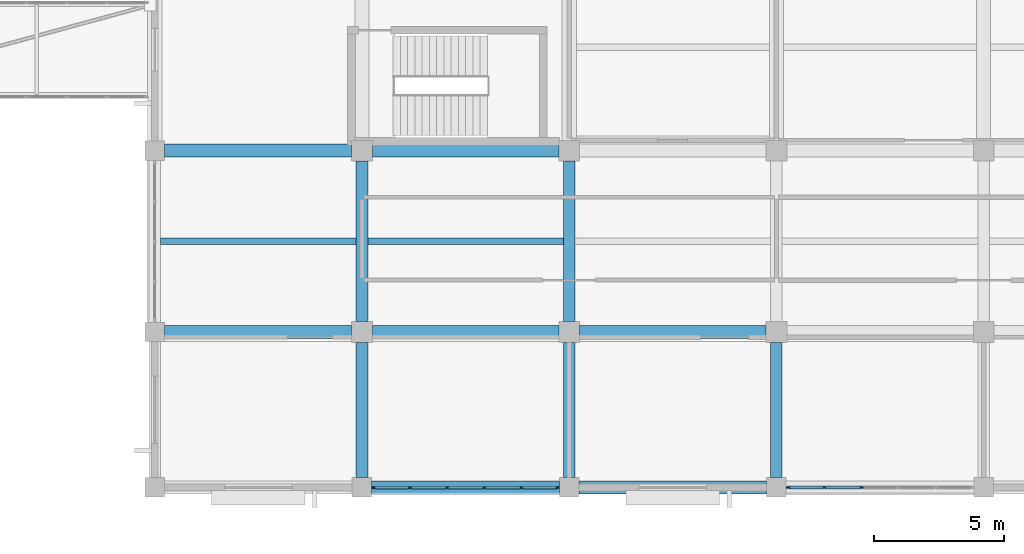
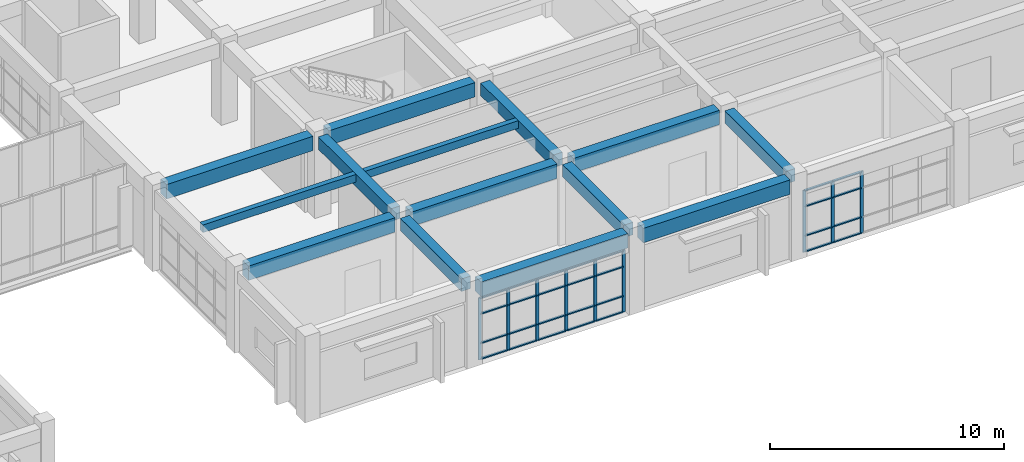
# One storey, part 33 of 70: 37 members, 14 beams, 2 elements without a shape of their own.
"""IFC4 building model written with IfcOpenShell, lengths in metres."""

from ifc_helpers import new_model, si_unit, direction, frame, origin, origin_2d, place, context, subcontext, project, spatial, rectangle, extrude, material, layer, layer_set, material_profile, profile_set, type_object, element, aggregate, save


model = new_model("IFC4")

# Units and contexts
model_context = context("Model", 3, precision=1e-05, world=origin(), true_north=direction((0.0, 1.0)))
body_context = subcontext(model_context, "Body", "Model", "MODEL_VIEW")
ifc_project = project(units=[si_unit("LENGTHUNIT", "METRE"), si_unit("AREAUNIT", "SQUARE_METRE"), si_unit("VOLUMEUNIT", "CUBIC_METRE"), si_unit("PLANEANGLEUNIT", "RADIAN"), si_unit("MASSUNIT", "GRAM", prefix="KILO")], contexts=[model_context])

# Site, building, storey
site_placement = place(None, origin())
site = spatial("IfcSite", under=ifc_project, at=site_placement, CompositionType="ELEMENT")
building_placement = place(site_placement, origin())
building = spatial("IfcBuilding", under=site, at=building_placement, Name="Naurynzar Civic Courthouse", CompositionType="ELEMENT")
storey_placement = place(building_placement, frame((0.0, 0.0, 5.39990234375)))
storey = spatial("IfcBuildingStorey", under=building, at=storey_placement, Name="L02", CompositionType="ELEMENT", Elevation=5.39990234375)

# Beams
ifc_material_1 = material(Name="Concrete C40/50", Category="concrete")
ifc_material_profile_1 = material_profile(ifc_material_1, rectangle(XDim=0.25, YDim=0.39990234375, at=origin_2d()), Name="RCB 250x400")
ifc_profile_set_1 = profile_set([ifc_material_profile_1], Name="Concrete C40/50")
beam_type_1 = type_object("IfcBeamType", Name="BM-JST-250x400", PredefinedType="JOIST", material=ifc_profile_set_1)
for number, where, z_axis, x_axis, name in (
    (1, (130.22509765625, 13.5, 4.0), (1.0, 0.0, 0.0), (0.0, 1.0, 0.0), "V5 secondary rib 2345 L02"),
    (2, (138.22509765625, 13.5, 4.0), (1.0, 0.0, 0.0), (0.0, 1.0, 0.0), "V5 secondary rib 2346 L02"),
):
    element("IfcBeam", number, at=place(storey_placement, frame(where, z_axis=z_axis, x_axis=x_axis)), inside=storey, type_object=beam_type_1, Name=name, PredefinedType="JOIST", context=body_context, shape_type="SweptSolid", body=[
        extrude(rectangle(XDim=0.25, YDim=0.39990234375, at=origin_2d()), origin(), (0.0, 0.0, 1.0), 7.5498046875),
    ])
ifc_material_2 = material(Name="Concrete C40/50", Category="concrete")
ifc_material_profile_2 = material_profile(ifc_material_2, rectangle(XDim=0.449951171875, YDim=0.64990234375, at=origin_2d()), Name="RCB 450x650")
ifc_profile_set_2 = profile_set([ifc_material_profile_2], Name="Concrete C40/50")
beam_type_2 = type_object("IfcBeamType", Name="BM-RC-450x650", PredefinedType="BEAM", material=ifc_profile_set_2)
beam_1_placement = place(storey_placement, frame((138.0, 4.375, 3.875), z_axis=(0.0, 1.0, 0.0), x_axis=(-1.0, 0.0, 0.0)))
element("IfcBeam", 3, at=beam_1_placement, inside=storey, type_object=beam_type_2, Name="V5 girder Y-2306 L02", PredefinedType="BEAM", context=body_context, shape_type="SweptSolid", body=[
    extrude(rectangle(XDim=0.449951171875, YDim=0.64990234375, at=origin_2d()), origin(), (0.0, 0.0, 1.0), 5.22509765625),
])
beam_2_placement = place(storey_placement, frame((138.0, 10.39990234375, 3.875), z_axis=(0.0, 1.0, 0.0), x_axis=(-1.0, 0.0, 0.0)))
element("IfcBeam", 4, at=beam_2_placement, inside=storey, type_object=beam_type_2, Name="V5 girder Y-2307 L02", PredefinedType="BEAM", context=body_context, shape_type="SweptSolid", body=[
    extrude(rectangle(XDim=0.449951171875, YDim=0.64990234375, at=origin_2d()), origin(), (0.0, 0.0, 1.0), 6.2001953125),
])
beam_3_placement = place(storey_placement, frame((146.0, 4.375, 3.875), z_axis=(0.0, 1.0, 0.0), x_axis=(-1.0, 0.0, 0.0)))
element("IfcBeam", 5, at=beam_3_placement, inside=storey, type_object=beam_type_2, Name="V5 girder Y-2315 L02", PredefinedType="BEAM", context=body_context, shape_type="SweptSolid", body=[
    extrude(rectangle(XDim=0.449951171875, YDim=0.64990234375, at=origin_2d()), origin(), (0.0, 0.0, 1.0), 5.22509765625),
])
beam_4_placement = place(storey_placement, frame((146.0, 10.39990234375, 3.875), z_axis=(0.0, 1.0, 0.0), x_axis=(-1.0, 0.0, 0.0)))
element("IfcBeam", 6, at=beam_4_placement, inside=storey, type_object=beam_type_2, Name="V5 girder Y-2316 L02", PredefinedType="BEAM", context=body_context, shape_type="SweptSolid", body=[
    extrude(rectangle(XDim=0.449951171875, YDim=0.64990234375, at=origin_2d()), origin(), (0.0, 0.0, 1.0), 6.2001953125),
])
beam_5_placement = place(storey_placement, frame((154.0, 4.375, 3.875), z_axis=(0.0, 1.0, 0.0), x_axis=(-1.0, 0.0, 0.0)))
element("IfcBeam", 7, at=beam_5_placement, inside=storey, type_object=beam_type_2, Name="V5 girder Y-2324 L02", PredefinedType="BEAM", context=body_context, shape_type="SweptSolid", body=[
    extrude(rectangle(XDim=0.449951171875, YDim=0.64990234375, at=origin_2d()), origin(), (0.0, 0.0, 1.0), 5.22509765625),
])
ifc_material_3 = material(Name="Concrete C40/50", Category="concrete")
ifc_material_profile_3 = material_profile(ifc_material_3, rectangle(XDim=0.5, YDim=0.75, at=origin_2d()), Name="RCB 500x750")
ifc_profile_set_3 = profile_set([ifc_material_profile_3], Name="Concrete C40/50")
beam_type_3 = type_object("IfcBeamType", Name="BM-RC-500x750", PredefinedType="BEAM", material=ifc_profile_set_3)
for number, where, z_axis, x_axis, name in (
    (8, (138.375, 4.0, 3.8251953125), (1.0, 0.0, 0.0), (0.0, 1.0, 0.0), "V5 beam X-2252 L02"),
    (9, (146.375, 4.0, 3.8251953125), (1.0, 0.0, 0.0), (0.0, 1.0, 0.0), "V5 beam X-2253 L02"),
):
    element("IfcBeam", number, at=place(storey_placement, frame(where, z_axis=z_axis, x_axis=x_axis)), inside=storey, type_object=beam_type_3, Name=name, PredefinedType="BEAM", context=body_context, shape_type="SweptSolid", body=[
        extrude(rectangle(XDim=0.5, YDim=0.75, at=origin_2d()), origin(), (0.0, 0.0, 1.0), 7.25),
    ])
beam_6_placement = place(storey_placement, frame((130.375, 10.0, 3.8251953125), z_axis=(1.0, 0.0, 0.0), x_axis=(0.0, 1.0, 0.0)))
element("IfcBeam", 10, at=beam_6_placement, inside=storey, type_object=beam_type_3, Name="V5 beam X-2256 L02", PredefinedType="BEAM", context=body_context, shape_type="SweptSolid", body=[
    extrude(rectangle(XDim=0.5, YDim=0.75, at=origin_2d()), origin(), (0.0, 0.0, 1.0), 7.22509765625),
])
for number, where, z_axis, x_axis, name in (
    (11, (138.39990234375, 10.0, 3.8251953125), (1.0, 0.0, 0.0), (0.0, 1.0, 0.0), "V5 beam X-2257 L02"),
    (12, (146.39990234375, 10.0, 3.8251953125), (1.0, 0.0, 0.0), (0.0, 1.0, 0.0), "V5 beam X-2258 L02"),
):
    element("IfcBeam", number, at=place(storey_placement, frame(where, z_axis=z_axis, x_axis=x_axis)), inside=storey, type_object=beam_type_3, Name=name, PredefinedType="BEAM", context=body_context, shape_type="SweptSolid", body=[
        extrude(rectangle(XDim=0.5, YDim=0.75, at=origin_2d()), origin(), (0.0, 0.0, 1.0), 7.2001953125),
    ])
beam_7_placement = place(storey_placement, frame((130.375, 17.0, 3.8251953125), z_axis=(1.0, 0.0, 0.0), x_axis=(0.0, 1.0, 0.0)))
element("IfcBeam", 13, at=beam_7_placement, inside=storey, type_object=beam_type_3, Name="V5 beam X-2261 L02", PredefinedType="BEAM", context=body_context, shape_type="SweptSolid", body=[
    extrude(rectangle(XDim=0.5, YDim=0.75, at=origin_2d()), origin(), (0.0, 0.0, 1.0), 7.22509765625),
])
beam_8_placement = place(storey_placement, frame((138.39990234375, 17.0, 3.8251953125), z_axis=(1.0, 0.0, 0.0), x_axis=(0.0, 1.0, 0.0)))
element("IfcBeam", 14, at=beam_8_placement, inside=storey, type_object=beam_type_3, Name="V5 beam X-2262 L02", PredefinedType="BEAM", context=body_context, shape_type="SweptSolid", body=[
    extrude(rectangle(XDim=0.5, YDim=0.75, at=origin_2d()), origin(), (0.0, 0.0, 1.0), 7.2001953125),
])

# Curtain wall, members
ifc_material_4 = material(Name="Aluminium 6063-T6", Category="aluminium")
ifc_layer = layer(ifc_material_4, 0.179931640625)
ifc_layer_set = layer_set([ifc_layer], Name="CW-UNIT-1500")
curtain_wall_type = type_object("IfcCurtainWallType", Name="CW-UNIT-1500", PredefinedType="NOTDEFINED", material=ifc_layer_set)
curtain_wall_1_placement = place(storey_placement, origin())
curtain_wall_1 = element("IfcCurtainWall", 15, at=curtain_wall_1_placement, inside=storey, type_object=curtain_wall_type, Name="V5 unitised curtain wall 88 L02", PredefinedType="NOTDEFINED")
ifc_material_5 = material(Name="Aluminium 6063-T6", Category="aluminium")
ifc_material_profile_4 = material_profile(ifc_material_5, rectangle(XDim=0.06005859375, YDim=0.14990234375, at=origin_2d()), Name="ALU MULLION 60x150")
ifc_profile_set_4 = profile_set([ifc_material_profile_4], Name="Aluminium 6063-T6")
member_type_1 = type_object("IfcMemberType", Name="CWM-60x150", PredefinedType="MULLION", material=ifc_profile_set_4)
member_1_placement = place(storey_placement, frame((157.284912109375, 4.0, 0.0), z_axis=(0.0, 0.0, 1.0), x_axis=(0.0, -1.0, 0.0)))
member_1 = element("IfcMember", 16, at=member_1_placement, type_object=member_type_1, Name="CW-01 mullion 4", PredefinedType="MULLION", context=body_context, shape_type="SweptSolid", body=[
    extrude(rectangle(XDim=0.06005859375, YDim=0.14990234375, at=origin_2d()), origin(), (0.0, 0.0, 1.0), 3.22998046875),
])
member_2_placement = place(storey_placement, frame((155.85498046875, 4.0, 0.0), z_axis=(0.0, 0.0, 1.0), x_axis=(0.0, -1.0, 0.0)))
member_2 = element("IfcMember", 17, at=member_2_placement, type_object=member_type_1, Name="CW-01 mullion 5", PredefinedType="MULLION", context=body_context, shape_type="SweptSolid", body=[
    extrude(rectangle(XDim=0.06005859375, YDim=0.14990234375, at=origin_2d()), origin(), (0.0, 0.0, 1.0), 3.22998046875),
])
member_3_placement = place(storey_placement, frame((154.455078125, 4.0, 0.0), z_axis=(0.0, 0.0, 1.0), x_axis=(0.0, -1.0, 0.0)))
member_3 = element("IfcMember", 18, at=member_3_placement, type_object=member_type_1, Name="CW-01 mullion 6", PredefinedType="MULLION", context=body_context, shape_type="SweptSolid", body=[
    extrude(rectangle(XDim=0.06005859375, YDim=0.14990234375, at=origin_2d()), origin(), (0.0, 0.0, 1.0), 3.22998046875),
])

curtain_wall_2_placement = place(storey_placement, origin())
curtain_wall_2 = element("IfcCurtainWall", 19, at=curtain_wall_2_placement, inside=storey, type_object=curtain_wall_type, Name="V5 unitised curtain wall 89 L02", PredefinedType="NOTDEFINED")
member_4_placement = place(storey_placement, frame((145.544921875, 4.0, 0.0), z_axis=(0.0, 0.0, 1.0), x_axis=(0.0, -1.0, 0.0)))
member_4 = element("IfcMember", 20, at=member_4_placement, type_object=member_type_1, Name="CW-01 mullion 1", PredefinedType="MULLION", context=body_context, shape_type="SweptSolid", body=[
    extrude(rectangle(XDim=0.06005859375, YDim=0.14990234375, at=origin_2d()), origin(), (0.0, 0.0, 1.0), 3.22998046875),
])
member_5_placement = place(storey_placement, frame((144.14501953125, 4.0, 0.0), z_axis=(0.0, 0.0, 1.0), x_axis=(0.0, -1.0, 0.0)))
member_5 = element("IfcMember", 21, at=member_5_placement, type_object=member_type_1, Name="CW-01 mullion 2", PredefinedType="MULLION", context=body_context, shape_type="SweptSolid", body=[
    extrude(rectangle(XDim=0.06005859375, YDim=0.14990234375, at=origin_2d()), origin(), (0.0, 0.0, 1.0), 3.22998046875),
])
member_6_placement = place(storey_placement, frame((142.715087890625, 4.0, 0.0), z_axis=(0.0, 0.0, 1.0), x_axis=(0.0, -1.0, 0.0)))
member_6 = element("IfcMember", 22, at=member_6_placement, type_object=member_type_1, Name="CW-01 mullion 3", PredefinedType="MULLION", context=body_context, shape_type="SweptSolid", body=[
    extrude(rectangle(XDim=0.06005859375, YDim=0.14990234375, at=origin_2d()), origin(), (0.0, 0.0, 1.0), 3.22998046875),
])
member_7_placement = place(storey_placement, frame((141.284912109375, 4.0, 0.0), z_axis=(0.0, 0.0, 1.0), x_axis=(0.0, -1.0, 0.0)))
member_7 = element("IfcMember", 23, at=member_7_placement, type_object=member_type_1, Name="CW-01 mullion 4", PredefinedType="MULLION", context=body_context, shape_type="SweptSolid", body=[
    extrude(rectangle(XDim=0.06005859375, YDim=0.14990234375, at=origin_2d()), origin(), (0.0, 0.0, 1.0), 3.22998046875),
])
member_8_placement = place(storey_placement, frame((139.85498046875, 4.0, 0.0), z_axis=(0.0, 0.0, 1.0), x_axis=(0.0, -1.0, 0.0)))
member_8 = element("IfcMember", 24, at=member_8_placement, type_object=member_type_1, Name="CW-01 mullion 5", PredefinedType="MULLION", context=body_context, shape_type="SweptSolid", body=[
    extrude(rectangle(XDim=0.06005859375, YDim=0.14990234375, at=origin_2d()), origin(), (0.0, 0.0, 1.0), 3.22998046875),
])
member_9_placement = place(storey_placement, frame((138.455078125, 4.0, 0.0), z_axis=(0.0, 0.0, 1.0), x_axis=(0.0, -1.0, 0.0)))
member_9 = element("IfcMember", 25, at=member_9_placement, type_object=member_type_1, Name="CW-01 mullion 6", PredefinedType="MULLION", context=body_context, shape_type="SweptSolid", body=[
    extrude(rectangle(XDim=0.06005859375, YDim=0.14990234375, at=origin_2d()), origin(), (0.0, 0.0, 1.0), 3.22998046875),
])

# Member
ifc_material_6 = material(Name="Aluminium 6063-T6", Category="aluminium")
ifc_material_profile_5 = material_profile(ifc_material_6, rectangle(XDim=0.110107421875, YDim=0.06005859375, at=origin_2d()), Name="ALU TRANSOM 60x110")
ifc_profile_set_5 = profile_set([ifc_material_profile_5], Name="Aluminium 6063-T6")
member_type_2 = type_object("IfcMemberType", Name="CWT-60x110", PredefinedType="USERDEFINED", material=ifc_profile_set_5)
member_10_placement = place(storey_placement, frame((157.2548828125, 4.0, 0.030029296875), z_axis=(-1.0, 0.0, 0.0), x_axis=(0.0, -1.0, 0.0)))
member_10 = element("IfcMember", 26, at=member_10_placement, type_object=member_type_2, Name="CW-01 transom 4.1", ObjectType="TRANSOM", PredefinedType="USERDEFINED", context=body_context, shape_type="SweptSolid", body=[
    extrude(rectangle(XDim=0.110107421875, YDim=0.06005859375, at=origin_2d()), origin(), (0.0, 0.0, 1.0), 1.369873046875),
])

member_11_placement = place(storey_placement, frame((157.2548828125, 4.0, 0.85009765625), z_axis=(-1.0, 0.0, 0.0), x_axis=(0.0, -1.0, 0.0)))
member_11 = element("IfcMember", 27, at=member_11_placement, type_object=member_type_2, Name="CW-01 transom 4.2", ObjectType="TRANSOM", PredefinedType="USERDEFINED", context=body_context, shape_type="SweptSolid", body=[
    extrude(rectangle(XDim=0.110107421875, YDim=0.06005859375, at=origin_2d()), origin(), (0.0, 0.0, 1.0), 1.369873046875),
])

member_12_placement = place(storey_placement, frame((157.2548828125, 4.0, 2.380126953125), z_axis=(-1.0, 0.0, 0.0), x_axis=(0.0, -1.0, 0.0)))
member_12 = element("IfcMember", 28, at=member_12_placement, type_object=member_type_2, Name="CW-01 transom 4.3", ObjectType="TRANSOM", PredefinedType="USERDEFINED", context=body_context, shape_type="SweptSolid", body=[
    extrude(rectangle(XDim=0.110107421875, YDim=0.06005859375, at=origin_2d()), origin(), (0.0, 0.0, 1.0), 1.369873046875),
])

member_13_placement = place(storey_placement, frame((157.2548828125, 4.0, 3.2001953125), z_axis=(-1.0, 0.0, 0.0), x_axis=(0.0, -1.0, 0.0)))
member_13 = element("IfcMember", 29, at=member_13_placement, type_object=member_type_2, Name="CW-01 transom 4.4", ObjectType="TRANSOM", PredefinedType="USERDEFINED", context=body_context, shape_type="SweptSolid", body=[
    extrude(rectangle(XDim=0.110107421875, YDim=0.06005859375, at=origin_2d()), origin(), (0.0, 0.0, 1.0), 1.369873046875),
])

member_14_placement = place(storey_placement, frame((155.824951171875, 4.0, 0.030029296875), z_axis=(-1.0, 0.0, 0.0), x_axis=(0.0, -1.0, 0.0)))
member_14 = element("IfcMember", 30, at=member_14_placement, type_object=member_type_2, Name="CW-01 transom 5.1", ObjectType="TRANSOM", PredefinedType="USERDEFINED", context=body_context, shape_type="SweptSolid", body=[
    extrude(rectangle(XDim=0.110107421875, YDim=0.06005859375, at=origin_2d()), origin(), (0.0, 0.0, 1.0), 1.33984375),
])

member_15_placement = place(storey_placement, frame((155.824951171875, 4.0, 0.85009765625), z_axis=(-1.0, 0.0, 0.0), x_axis=(0.0, -1.0, 0.0)))
member_15 = element("IfcMember", 31, at=member_15_placement, type_object=member_type_2, Name="CW-01 transom 5.2", ObjectType="TRANSOM", PredefinedType="USERDEFINED", context=body_context, shape_type="SweptSolid", body=[
    extrude(rectangle(XDim=0.110107421875, YDim=0.06005859375, at=origin_2d()), origin(), (0.0, 0.0, 1.0), 1.33984375),
])

member_16_placement = place(storey_placement, frame((155.824951171875, 4.0, 2.380126953125), z_axis=(-1.0, 0.0, 0.0), x_axis=(0.0, -1.0, 0.0)))
member_16 = element("IfcMember", 32, at=member_16_placement, type_object=member_type_2, Name="CW-01 transom 5.3", ObjectType="TRANSOM", PredefinedType="USERDEFINED", context=body_context, shape_type="SweptSolid", body=[
    extrude(rectangle(XDim=0.110107421875, YDim=0.06005859375, at=origin_2d()), origin(), (0.0, 0.0, 1.0), 1.33984375),
])

member_17_placement = place(storey_placement, frame((155.824951171875, 4.0, 3.2001953125), z_axis=(-1.0, 0.0, 0.0), x_axis=(0.0, -1.0, 0.0)))
member_17 = element("IfcMember", 33, at=member_17_placement, type_object=member_type_2, Name="CW-01 transom 5.4", ObjectType="TRANSOM", PredefinedType="USERDEFINED", context=body_context, shape_type="SweptSolid", body=[
    extrude(rectangle(XDim=0.110107421875, YDim=0.06005859375, at=origin_2d()), origin(), (0.0, 0.0, 1.0), 1.33984375),
])

aggregate(curtain_wall_1, [member_1, member_2, member_3, member_10, member_11, member_12, member_13, member_14, member_15, member_16, member_17])

member_18_placement = place(storey_placement, frame((145.514892578125, 4.0, 0.030029296875), z_axis=(-1.0, 0.0, 0.0), x_axis=(0.0, -1.0, 0.0)))
member_18 = element("IfcMember", 34, at=member_18_placement, type_object=member_type_2, Name="CW-01 transom 1.1", ObjectType="TRANSOM", PredefinedType="USERDEFINED", context=body_context, shape_type="SweptSolid", body=[
    extrude(rectangle(XDim=0.110107421875, YDim=0.06005859375, at=origin_2d()), origin(), (0.0, 0.0, 1.0), 1.33984375),
])

member_19_placement = place(storey_placement, frame((145.514892578125, 4.0, 0.85009765625), z_axis=(-1.0, 0.0, 0.0), x_axis=(0.0, -1.0, 0.0)))
member_19 = element("IfcMember", 35, at=member_19_placement, type_object=member_type_2, Name="CW-01 transom 1.2", ObjectType="TRANSOM", PredefinedType="USERDEFINED", context=body_context, shape_type="SweptSolid", body=[
    extrude(rectangle(XDim=0.110107421875, YDim=0.06005859375, at=origin_2d()), origin(), (0.0, 0.0, 1.0), 1.33984375),
])

member_20_placement = place(storey_placement, frame((145.514892578125, 4.0, 2.380126953125), z_axis=(-1.0, 0.0, 0.0), x_axis=(0.0, -1.0, 0.0)))
member_20 = element("IfcMember", 36, at=member_20_placement, type_object=member_type_2, Name="CW-01 transom 1.3", ObjectType="TRANSOM", PredefinedType="USERDEFINED", context=body_context, shape_type="SweptSolid", body=[
    extrude(rectangle(XDim=0.110107421875, YDim=0.06005859375, at=origin_2d()), origin(), (0.0, 0.0, 1.0), 1.33984375),
])

member_21_placement = place(storey_placement, frame((145.514892578125, 4.0, 3.2001953125), z_axis=(-1.0, 0.0, 0.0), x_axis=(0.0, -1.0, 0.0)))
member_21 = element("IfcMember", 37, at=member_21_placement, type_object=member_type_2, Name="CW-01 transom 1.4", ObjectType="TRANSOM", PredefinedType="USERDEFINED", context=body_context, shape_type="SweptSolid", body=[
    extrude(rectangle(XDim=0.110107421875, YDim=0.06005859375, at=origin_2d()), origin(), (0.0, 0.0, 1.0), 1.33984375),
])

member_22_placement = place(storey_placement, frame((144.114990234375, 4.0, 0.030029296875), z_axis=(-1.0, 0.0, 0.0), x_axis=(0.0, -1.0, 0.0)))
member_22 = element("IfcMember", 38, at=member_22_placement, type_object=member_type_2, Name="CW-01 transom 2.1", ObjectType="TRANSOM", PredefinedType="USERDEFINED", context=body_context, shape_type="SweptSolid", body=[
    extrude(rectangle(XDim=0.110107421875, YDim=0.06005859375, at=origin_2d()), origin(), (0.0, 0.0, 1.0), 1.369873046875),
])

member_23_placement = place(storey_placement, frame((144.114990234375, 4.0, 0.85009765625), z_axis=(-1.0, 0.0, 0.0), x_axis=(0.0, -1.0, 0.0)))
member_23 = element("IfcMember", 39, at=member_23_placement, type_object=member_type_2, Name="CW-01 transom 2.2", ObjectType="TRANSOM", PredefinedType="USERDEFINED", context=body_context, shape_type="SweptSolid", body=[
    extrude(rectangle(XDim=0.110107421875, YDim=0.06005859375, at=origin_2d()), origin(), (0.0, 0.0, 1.0), 1.369873046875),
])

member_24_placement = place(storey_placement, frame((144.114990234375, 4.0, 2.380126953125), z_axis=(-1.0, 0.0, 0.0), x_axis=(0.0, -1.0, 0.0)))
member_24 = element("IfcMember", 40, at=member_24_placement, type_object=member_type_2, Name="CW-01 transom 2.3", ObjectType="TRANSOM", PredefinedType="USERDEFINED", context=body_context, shape_type="SweptSolid", body=[
    extrude(rectangle(XDim=0.110107421875, YDim=0.06005859375, at=origin_2d()), origin(), (0.0, 0.0, 1.0), 1.369873046875),
])

member_25_placement = place(storey_placement, frame((144.114990234375, 4.0, 3.2001953125), z_axis=(-1.0, 0.0, 0.0), x_axis=(0.0, -1.0, 0.0)))
member_25 = element("IfcMember", 41, at=member_25_placement, type_object=member_type_2, Name="CW-01 transom 2.4", ObjectType="TRANSOM", PredefinedType="USERDEFINED", context=body_context, shape_type="SweptSolid", body=[
    extrude(rectangle(XDim=0.110107421875, YDim=0.06005859375, at=origin_2d()), origin(), (0.0, 0.0, 1.0), 1.369873046875),
])

member_26_placement = place(storey_placement, frame((142.68505859375, 4.0, 0.030029296875), z_axis=(-1.0, 0.0, 0.0), x_axis=(0.0, -1.0, 0.0)))
member_26 = element("IfcMember", 42, at=member_26_placement, type_object=member_type_2, Name="CW-01 transom 3.1", ObjectType="TRANSOM", PredefinedType="USERDEFINED", context=body_context, shape_type="SweptSolid", body=[
    extrude(rectangle(XDim=0.110107421875, YDim=0.06005859375, at=origin_2d()), origin(), (0.0, 0.0, 1.0), 1.3701171875),
])

member_27_placement = place(storey_placement, frame((142.68505859375, 4.0, 0.85009765625), z_axis=(-1.0, 0.0, 0.0), x_axis=(0.0, -1.0, 0.0)))
member_27 = element("IfcMember", 43, at=member_27_placement, type_object=member_type_2, Name="CW-01 transom 3.2", ObjectType="TRANSOM", PredefinedType="USERDEFINED", context=body_context, shape_type="SweptSolid", body=[
    extrude(rectangle(XDim=0.110107421875, YDim=0.06005859375, at=origin_2d()), origin(), (0.0, 0.0, 1.0), 1.3701171875),
])

member_28_placement = place(storey_placement, frame((142.68505859375, 4.0, 2.380126953125), z_axis=(-1.0, 0.0, 0.0), x_axis=(0.0, -1.0, 0.0)))
member_28 = element("IfcMember", 44, at=member_28_placement, type_object=member_type_2, Name="CW-01 transom 3.3", ObjectType="TRANSOM", PredefinedType="USERDEFINED", context=body_context, shape_type="SweptSolid", body=[
    extrude(rectangle(XDim=0.110107421875, YDim=0.06005859375, at=origin_2d()), origin(), (0.0, 0.0, 1.0), 1.3701171875),
])

member_29_placement = place(storey_placement, frame((142.68505859375, 4.0, 3.2001953125), z_axis=(-1.0, 0.0, 0.0), x_axis=(0.0, -1.0, 0.0)))
member_29 = element("IfcMember", 45, at=member_29_placement, type_object=member_type_2, Name="CW-01 transom 3.4", ObjectType="TRANSOM", PredefinedType="USERDEFINED", context=body_context, shape_type="SweptSolid", body=[
    extrude(rectangle(XDim=0.110107421875, YDim=0.06005859375, at=origin_2d()), origin(), (0.0, 0.0, 1.0), 1.3701171875),
])

member_30_placement = place(storey_placement, frame((141.2548828125, 4.0, 0.030029296875), z_axis=(-1.0, 0.0, 0.0), x_axis=(0.0, -1.0, 0.0)))
member_30 = element("IfcMember", 46, at=member_30_placement, type_object=member_type_2, Name="CW-01 transom 4.1", ObjectType="TRANSOM", PredefinedType="USERDEFINED", context=body_context, shape_type="SweptSolid", body=[
    extrude(rectangle(XDim=0.110107421875, YDim=0.06005859375, at=origin_2d()), origin(), (0.0, 0.0, 1.0), 1.369873046875),
])

member_31_placement = place(storey_placement, frame((141.2548828125, 4.0, 0.85009765625), z_axis=(-1.0, 0.0, 0.0), x_axis=(0.0, -1.0, 0.0)))
member_31 = element("IfcMember", 47, at=member_31_placement, type_object=member_type_2, Name="CW-01 transom 4.2", ObjectType="TRANSOM", PredefinedType="USERDEFINED", context=body_context, shape_type="SweptSolid", body=[
    extrude(rectangle(XDim=0.110107421875, YDim=0.06005859375, at=origin_2d()), origin(), (0.0, 0.0, 1.0), 1.369873046875),
])

member_32_placement = place(storey_placement, frame((141.2548828125, 4.0, 2.380126953125), z_axis=(-1.0, 0.0, 0.0), x_axis=(0.0, -1.0, 0.0)))
member_32 = element("IfcMember", 48, at=member_32_placement, type_object=member_type_2, Name="CW-01 transom 4.3", ObjectType="TRANSOM", PredefinedType="USERDEFINED", context=body_context, shape_type="SweptSolid", body=[
    extrude(rectangle(XDim=0.110107421875, YDim=0.06005859375, at=origin_2d()), origin(), (0.0, 0.0, 1.0), 1.369873046875),
])

member_33_placement = place(storey_placement, frame((141.2548828125, 4.0, 3.2001953125), z_axis=(-1.0, 0.0, 0.0), x_axis=(0.0, -1.0, 0.0)))
member_33 = element("IfcMember", 49, at=member_33_placement, type_object=member_type_2, Name="CW-01 transom 4.4", ObjectType="TRANSOM", PredefinedType="USERDEFINED", context=body_context, shape_type="SweptSolid", body=[
    extrude(rectangle(XDim=0.110107421875, YDim=0.06005859375, at=origin_2d()), origin(), (0.0, 0.0, 1.0), 1.369873046875),
])

member_34_placement = place(storey_placement, frame((139.824951171875, 4.0, 0.030029296875), z_axis=(-1.0, 0.0, 0.0), x_axis=(0.0, -1.0, 0.0)))
member_34 = element("IfcMember", 50, at=member_34_placement, type_object=member_type_2, Name="CW-01 transom 5.1", ObjectType="TRANSOM", PredefinedType="USERDEFINED", context=body_context, shape_type="SweptSolid", body=[
    extrude(rectangle(XDim=0.110107421875, YDim=0.06005859375, at=origin_2d()), origin(), (0.0, 0.0, 1.0), 1.33984375),
])

member_35_placement = place(storey_placement, frame((139.824951171875, 4.0, 0.85009765625), z_axis=(-1.0, 0.0, 0.0), x_axis=(0.0, -1.0, 0.0)))
member_35 = element("IfcMember", 51, at=member_35_placement, type_object=member_type_2, Name="CW-01 transom 5.2", ObjectType="TRANSOM", PredefinedType="USERDEFINED", context=body_context, shape_type="SweptSolid", body=[
    extrude(rectangle(XDim=0.110107421875, YDim=0.06005859375, at=origin_2d()), origin(), (0.0, 0.0, 1.0), 1.33984375),
])

member_36_placement = place(storey_placement, frame((139.824951171875, 4.0, 2.380126953125), z_axis=(-1.0, 0.0, 0.0), x_axis=(0.0, -1.0, 0.0)))
member_36 = element("IfcMember", 52, at=member_36_placement, type_object=member_type_2, Name="CW-01 transom 5.3", ObjectType="TRANSOM", PredefinedType="USERDEFINED", context=body_context, shape_type="SweptSolid", body=[
    extrude(rectangle(XDim=0.110107421875, YDim=0.06005859375, at=origin_2d()), origin(), (0.0, 0.0, 1.0), 1.33984375),
])

member_37_placement = place(storey_placement, frame((139.824951171875, 4.0, 3.2001953125), z_axis=(-1.0, 0.0, 0.0), x_axis=(0.0, -1.0, 0.0)))
member_37 = element("IfcMember", 53, at=member_37_placement, type_object=member_type_2, Name="CW-01 transom 5.4", ObjectType="TRANSOM", PredefinedType="USERDEFINED", context=body_context, shape_type="SweptSolid", body=[
    extrude(rectangle(XDim=0.110107421875, YDim=0.06005859375, at=origin_2d()), origin(), (0.0, 0.0, 1.0), 1.33984375),
])

aggregate(curtain_wall_2, [member_4, member_5, member_6, member_7, member_8, member_9, member_18, member_19, member_20, member_21, member_22, member_23, member_24, member_25, member_26, member_27, member_28, member_29, member_30, member_31, member_32, member_33, member_34, member_35, member_36, member_37])

save(model, "model.ifc")
